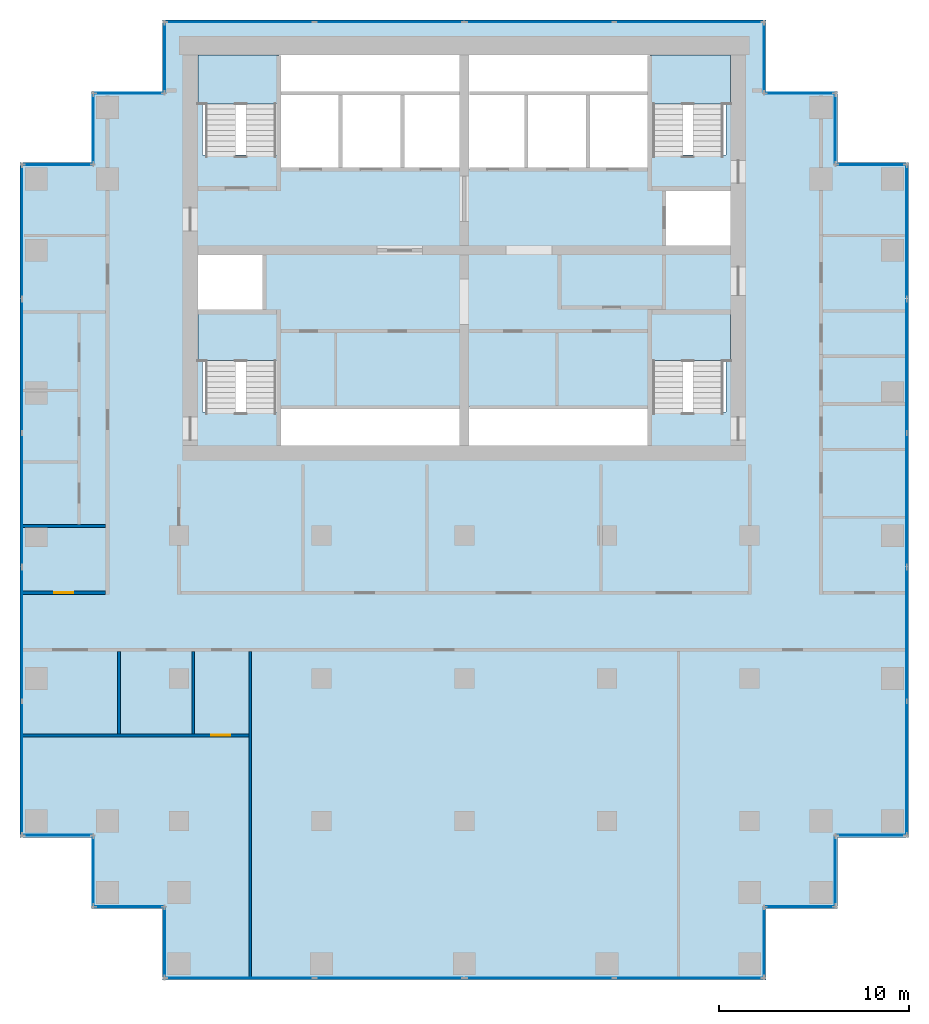
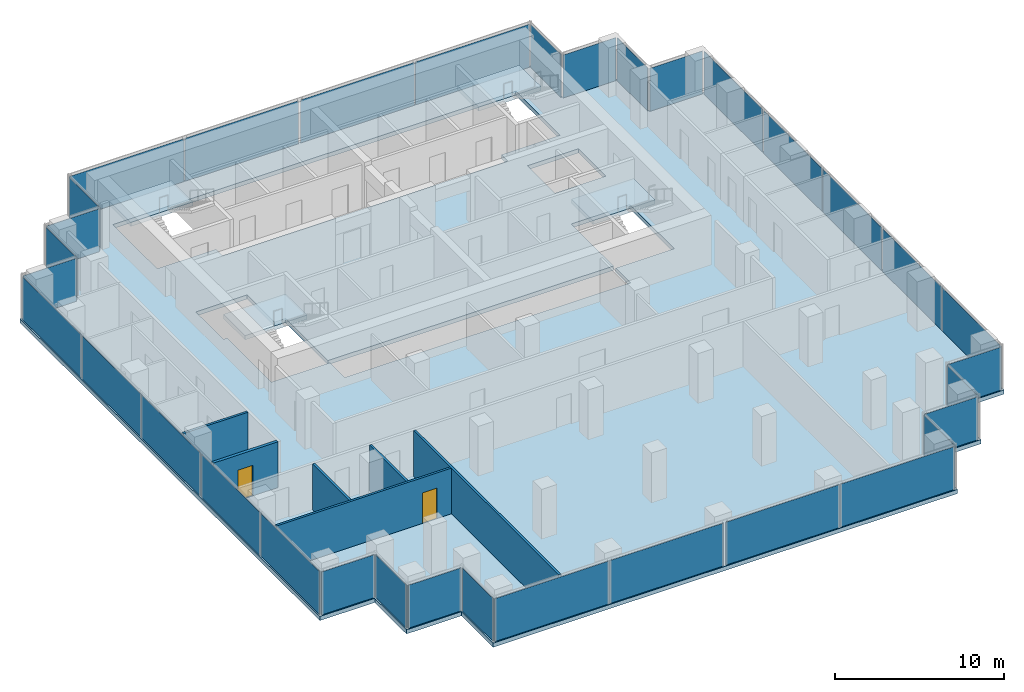
# One storey, part 6 of 10: 34 plates, 6 walls, 5 slabs, 2 doors, 2 openings, 30 elements without a shape of their own.
"""IFC4 building model written with IfcOpenShell, lengths in metres."""

from ifc_helpers import new_model, si_unit, direction, frame, frame_2d, origin, origin_2d, place, context, subcontext, project, spatial, polyline, rectangle, outline, extrude, material, layer, layer_set, type_object, element, fill, aggregate, save


model = new_model("IFC4")

# Units and contexts
model_context = context("Model", 3, precision=1e-05, world=origin(), true_north=direction((0.0, 1.0)))
body_context = subcontext(model_context, "Body", "Model", "MODEL_VIEW")
ifc_project = project(units=[si_unit("LENGTHUNIT", "METRE"), si_unit("AREAUNIT", "SQUARE_METRE"), si_unit("VOLUMEUNIT", "CUBIC_METRE"), si_unit("PLANEANGLEUNIT", "RADIAN"), si_unit("MASSUNIT", "GRAM", prefix="KILO")], contexts=[model_context])

# Site, building, storey
site_placement = place(None, origin())
site = spatial("IfcSite", under=ifc_project, at=site_placement, CompositionType="ELEMENT")
building_placement = place(site_placement, origin())
building = spatial("IfcBuilding", under=site, at=building_placement, Name="Pilkhan Gate Tower", CompositionType="ELEMENT")
storey_placement = place(building_placement, frame((0.0, 0.0, 154.89990234375)))
storey = spatial("IfcBuildingStorey", under=building, at=storey_placement, Name="L39", CompositionType="ELEMENT", Elevation=154.89990234375)

# Slab
ifc_material_1 = material(Name="Concrete C40/50", Category="concrete")
ifc_layer_1 = layer(ifc_material_1, 0.300048828125)
ifc_layer_set_1 = layer_set([ifc_layer_1], Name="Flat plate slab FP300")
slab_type_1 = type_object("IfcSlabType", Name="Flat plate slab FP300", PredefinedType="FLOOR", material=ifc_layer_set_1)
slab_1_placement = place(storey_placement, frame((0.0, 0.0, -0.2998046875)))
element("IfcSlab", 1, at=slab_1_placement, inside=storey, type_object=slab_type_1, Name="Floor slab L39", PredefinedType="FLOOR", context=body_context, shape_type="SweptSolid", body=[
    extrude(outline(polyline([(94.60009765625, 47.89990234375), (90.85009765625, 47.89990234375), (90.85009765625, 44.14990234375), (59.14990234375, 44.14990234375), (59.14990234375, 47.89990234375), (55.39990234375, 47.89990234375), (55.39990234375, 51.64990234375), (51.64990234375, 51.64990234375), (51.64990234375, 87.10009765625), (55.39990234375, 87.10009765625), (55.39990234375, 90.85009765625), (59.14990234375, 90.85009765625), (59.14990234375, 94.60009765625), (90.85009765625, 94.60009765625), (90.85009765625, 90.85009765625), (94.60009765625, 90.85009765625), (94.60009765625, 87.10009765625), (98.35009765625, 87.10009765625), (98.35009765625, 51.64990234375), (94.60009765625, 51.64990234375), (94.60009765625, 47.89990234375)]), holes=[polyline([(75.0, 72.25), (84.75, 72.25), (84.75, 74.0), (88.75, 74.0), (88.75, 79.25), (84.75, 79.25), (84.75, 74.25), (75.0, 74.25), (65.25, 74.25), (65.25, 79.25), (64.5, 79.25), (64.5, 82.5), (61.25, 82.5), (61.0, 82.5), (61.0, 79.25), (61.25, 79.25), (61.25, 74.0), (65.25, 74.0), (65.25, 72.25), (75.0, 72.25)]), polyline([(68.5, 86.75), (71.75, 86.75), (75.0, 86.75), (78.25, 86.75), (81.5, 86.75), (84.75, 86.75), (84.75, 87.5), (88.75, 87.5), (88.75, 92.75), (84.75, 92.75), (75.0, 92.75), (65.25, 92.75), (61.25, 92.75), (61.25, 87.5), (65.25, 87.5), (65.25, 86.75), (68.5, 86.75)]), polyline([(85.5, 85.75), (85.5, 82.5), (88.75, 82.5), (89.0, 82.5), (89.0, 85.75), (88.75, 85.75), (85.5, 85.75)])]), origin(), (0.0, 0.0, 1.0), 0.2998046875),
])

# Curtain wall, plates
ifc_material_2 = material(Name="Pale anodised aluminium, clear low-iron double glazing", Category="aluminium")
curtain_wall_type = type_object("IfcCurtainWallType", Name="Office unitised curtain wall CW-O1", PredefinedType="USERDEFINED", material=ifc_material_2)
curtain_wall_1_placement = place(storey_placement, origin())
curtain_wall_1 = element("IfcCurtainWall", 2, at=curtain_wall_1_placement, inside=storey, type_object=curtain_wall_type, Name="Office unitised curtain wall CW-O1 L39 E", ObjectType="UNITISED CURTAIN WALL", PredefinedType="USERDEFINED")
ifc_material_3 = material(Name="Clear low-iron double glazing", Category="glass")
ifc_layer_2 = layer(ifc_material_3, 0.0400390625)
ifc_layer_set_2 = layer_set([ifc_layer_2], Name="Glass panel CW-O1 40")
plate_type = type_object("IfcPlateType", Name="Glass panel CW-O1 40", PredefinedType="CURTAIN_PANEL", material=ifc_layer_set_2)
plate_1_placement = place(storey_placement, frame((98.25, 55.29248046875, 0.0), z_axis=(0.0, 0.0, 1.0), x_axis=(0.0, 1.0, 0.0)))
plate_1 = element("IfcPlate", 3, at=plate_1_placement, type_object=plate_type, Name="CW-O1 panel 1", PredefinedType="CURTAIN_PANEL", context=body_context, shape_type="SweptSolid", body=[
    extrude(rectangle(XDim=6.945068359375, YDim=0.0400390625, at=origin_2d()), origin(), (0.0, 0.0, 1.0), 3.10009765625),
])
plate_2_placement = place(storey_placement, frame((98.25, 62.3076171875, 0.0), z_axis=(0.0, 0.0, 1.0), x_axis=(0.0, 1.0, 0.0)))
plate_2 = element("IfcPlate", 4, at=plate_2_placement, type_object=plate_type, Name="CW-O1 panel 2", PredefinedType="CURTAIN_PANEL", context=body_context, shape_type="SweptSolid", body=[
    extrude(rectangle(XDim=6.945068359375, YDim=0.0400390625, at=origin_2d()), origin(), (0.0, 0.0, 1.0), 3.10009765625),
])
aggregate(curtain_wall_1, [plate_1, plate_2])

curtain_wall_2_placement = place(storey_placement, origin())
curtain_wall_2 = element("IfcCurtainWall", 5, at=curtain_wall_2_placement, inside=storey, type_object=curtain_wall_type, Name="Office unitised curtain wall CW-O1 L39 E", ObjectType="UNITISED CURTAIN WALL", PredefinedType="USERDEFINED")
plate_3_placement = place(storey_placement, frame((98.25, 69.392578125, 0.0), z_axis=(0.0, 0.0, 1.0), x_axis=(0.0, 1.0, 0.0)))
plate_3 = element("IfcPlate", 6, at=plate_3_placement, type_object=plate_type, Name="CW-O1 panel 1", PredefinedType="CURTAIN_PANEL", context=body_context, shape_type="SweptSolid", body=[
    extrude(rectangle(XDim=6.945068359375, YDim=0.0400390625, at=origin_2d()), origin(), (0.0, 0.0, 1.0), 3.10009765625),
])
plate_4_placement = place(storey_placement, frame((98.25, 76.407470703125, 0.0), z_axis=(0.0, 0.0, 1.0), x_axis=(0.0, 1.0, 0.0)))
plate_4 = element("IfcPlate", 7, at=plate_4_placement, type_object=plate_type, Name="CW-O1 panel 2", PredefinedType="CURTAIN_PANEL", context=body_context, shape_type="SweptSolid", body=[
    extrude(rectangle(XDim=6.945068359375, YDim=0.0400390625, at=origin_2d()), origin(), (0.0, 0.0, 1.0), 3.10009765625),
])
aggregate(curtain_wall_2, [plate_3, plate_4])

# Curtain wall, plate
curtain_wall_3_placement = place(storey_placement, origin())
curtain_wall_3 = element("IfcCurtainWall", 8, at=curtain_wall_3_placement, inside=storey, type_object=curtain_wall_type, Name="Office unitised curtain wall CW-O1 L39 E", ObjectType="UNITISED CURTAIN WALL", PredefinedType="USERDEFINED")
plate_5_placement = place(storey_placement, frame((98.25, 83.47509765625, 0.0), z_axis=(0.0, 0.0, 1.0), x_axis=(0.0, 1.0, 0.0)))
plate_5 = element("IfcPlate", 9, at=plate_5_placement, type_object=plate_type, Name="CW-O1 panel 1", PredefinedType="CURTAIN_PANEL", context=body_context, shape_type="SweptSolid", body=[
    extrude(rectangle(XDim=6.909912109375, YDim=0.0400390625, at=origin_2d()), origin(), (0.0, 0.0, 1.0), 3.10009765625),
])
aggregate(curtain_wall_3, [plate_5])

curtain_wall_4_placement = place(storey_placement, origin())
curtain_wall_4 = element("IfcCurtainWall", 10, at=curtain_wall_4_placement, inside=storey, type_object=curtain_wall_type, Name="Office unitised curtain wall CW-O1 L39 N", ObjectType="UNITISED CURTAIN WALL", PredefinedType="USERDEFINED")
plate_6_placement = place(storey_placement, frame((96.375, 87.0, 0.0), z_axis=(0.0, 0.0, 1.0), x_axis=(1.0, 0.0, 0.0)))
plate_6 = element("IfcPlate", 11, at=plate_6_placement, type_object=plate_type, Name="CW-O1 panel 1", PredefinedType="CURTAIN_PANEL", context=body_context, shape_type="SweptSolid", body=[
    extrude(rectangle(XDim=3.610107421875, YDim=0.0400390625, at=origin_2d()), origin(), (0.0, 0.0, 1.0), 3.10009765625),
])
aggregate(curtain_wall_4, [plate_6])

curtain_wall_5_placement = place(storey_placement, origin())
curtain_wall_5 = element("IfcCurtainWall", 12, at=curtain_wall_5_placement, inside=storey, type_object=curtain_wall_type, Name="Office unitised curtain wall CW-O1 L39 E", ObjectType="UNITISED CURTAIN WALL", PredefinedType="USERDEFINED")
plate_7_placement = place(storey_placement, frame((94.5, 88.875, 0.0), z_axis=(0.0, 0.0, 1.0), x_axis=(0.0, 1.0, 0.0)))
plate_7 = element("IfcPlate", 13, at=plate_7_placement, type_object=plate_type, Name="CW-O1 panel 1", PredefinedType="CURTAIN_PANEL", context=body_context, shape_type="SweptSolid", body=[
    extrude(rectangle(XDim=3.610107421875, YDim=0.0400390625, at=origin_2d()), origin(), (0.0, 0.0, 1.0), 3.10009765625),
])
aggregate(curtain_wall_5, [plate_7])

curtain_wall_6_placement = place(storey_placement, origin())
curtain_wall_6 = element("IfcCurtainWall", 14, at=curtain_wall_6_placement, inside=storey, type_object=curtain_wall_type, Name="Office unitised curtain wall CW-O1 L39 N", ObjectType="UNITISED CURTAIN WALL", PredefinedType="USERDEFINED")
plate_8_placement = place(storey_placement, frame((92.625, 90.75, 0.0), z_axis=(0.0, 0.0, 1.0), x_axis=(1.0, 0.0, 0.0)))
plate_8 = element("IfcPlate", 15, at=plate_8_placement, type_object=plate_type, Name="CW-O1 panel 1", PredefinedType="CURTAIN_PANEL", context=body_context, shape_type="SweptSolid", body=[
    extrude(rectangle(XDim=3.610107421875, YDim=0.0400390625, at=origin_2d()), origin(), (0.0, 0.0, 1.0), 3.10009765625),
])
aggregate(curtain_wall_6, [plate_8])

curtain_wall_7_placement = place(storey_placement, origin())
curtain_wall_7 = element("IfcCurtainWall", 16, at=curtain_wall_7_placement, inside=storey, type_object=curtain_wall_type, Name="Office unitised curtain wall CW-O1 L39 E", ObjectType="UNITISED CURTAIN WALL", PredefinedType="USERDEFINED")
plate_9_placement = place(storey_placement, frame((90.75, 92.625, 0.0), z_axis=(0.0, 0.0, 1.0), x_axis=(0.0, 1.0, 0.0)))
plate_9 = element("IfcPlate", 17, at=plate_9_placement, type_object=plate_type, Name="CW-O1 panel 1", PredefinedType="CURTAIN_PANEL", context=body_context, shape_type="SweptSolid", body=[
    extrude(rectangle(XDim=3.610107421875, YDim=0.0400390625, at=origin_2d()), origin(), (0.0, 0.0, 1.0), 3.10009765625),
])
aggregate(curtain_wall_7, [plate_9])

# Curtain wall, plates
curtain_wall_8_placement = place(storey_placement, origin())
curtain_wall_8 = element("IfcCurtainWall", 18, at=curtain_wall_8_placement, inside=storey, type_object=curtain_wall_type, Name="Office unitised curtain wall CW-O1 L39 N", ObjectType="UNITISED CURTAIN WALL", PredefinedType="USERDEFINED")
plate_10_placement = place(storey_placement, frame((63.205078125, 94.5, 0.0), z_axis=(0.0, 0.0, 1.0), x_axis=(1.0, 0.0, 0.0)))
plate_10 = element("IfcPlate", 19, at=plate_10_placement, type_object=plate_type, Name="CW-O1 panel 1", PredefinedType="CURTAIN_PANEL", context=body_context, shape_type="SweptSolid", body=[
    extrude(rectangle(XDim=7.77001953125, YDim=0.0400390625, at=origin_2d()), origin(), (0.0, 0.0, 1.0), 3.10009765625),
])
plate_11_placement = place(storey_placement, frame((71.044921875, 94.5, 0.0), z_axis=(0.0, 0.0, 1.0), x_axis=(1.0, 0.0, 0.0)))
plate_11 = element("IfcPlate", 20, at=plate_11_placement, type_object=plate_type, Name="CW-O1 panel 2", PredefinedType="CURTAIN_PANEL", context=body_context, shape_type="SweptSolid", body=[
    extrude(rectangle(XDim=7.77001953125, YDim=0.0400390625, at=origin_2d()), origin(), (0.0, 0.0, 1.0), 3.10009765625),
])
aggregate(curtain_wall_8, [plate_10, plate_11])

curtain_wall_9_placement = place(storey_placement, origin())
curtain_wall_9 = element("IfcCurtainWall", 21, at=curtain_wall_9_placement, inside=storey, type_object=curtain_wall_type, Name="Office unitised curtain wall CW-O1 L39 N", ObjectType="UNITISED CURTAIN WALL", PredefinedType="USERDEFINED")
plate_12_placement = place(storey_placement, frame((78.955078125, 94.5, 0.0), z_axis=(0.0, 0.0, 1.0), x_axis=(1.0, 0.0, 0.0)))
plate_12 = element("IfcPlate", 22, at=plate_12_placement, type_object=plate_type, Name="CW-O1 panel 1", PredefinedType="CURTAIN_PANEL", context=body_context, shape_type="SweptSolid", body=[
    extrude(rectangle(XDim=7.77001953125, YDim=0.0400390625, at=origin_2d()), origin(), (0.0, 0.0, 1.0), 3.10009765625),
])
plate_13_placement = place(storey_placement, frame((86.794921875, 94.5, 0.0), z_axis=(0.0, 0.0, 1.0), x_axis=(1.0, 0.0, 0.0)))
plate_13 = element("IfcPlate", 23, at=plate_13_placement, type_object=plate_type, Name="CW-O1 panel 2", PredefinedType="CURTAIN_PANEL", context=body_context, shape_type="SweptSolid", body=[
    extrude(rectangle(XDim=7.77001953125, YDim=0.0400390625, at=origin_2d()), origin(), (0.0, 0.0, 1.0), 3.10009765625),
])
aggregate(curtain_wall_9, [plate_12, plate_13])

# Curtain wall, plate
curtain_wall_10_placement = place(storey_placement, origin())
curtain_wall_10 = element("IfcCurtainWall", 24, at=curtain_wall_10_placement, inside=storey, type_object=curtain_wall_type, Name="Office unitised curtain wall CW-O1 L39 W", ObjectType="UNITISED CURTAIN WALL", PredefinedType="USERDEFINED")
plate_14_placement = place(storey_placement, frame((59.25, 92.625, 0.0), z_axis=(0.0, 0.0, 1.0), x_axis=(0.0, 1.0, 0.0)))
plate_14 = element("IfcPlate", 25, at=plate_14_placement, type_object=plate_type, Name="CW-O1 panel 1", PredefinedType="CURTAIN_PANEL", context=body_context, shape_type="SweptSolid", body=[
    extrude(rectangle(XDim=3.610107421875, YDim=0.0400390625, at=origin_2d()), origin(), (0.0, 0.0, 1.0), 3.10009765625),
])
aggregate(curtain_wall_10, [plate_14])

curtain_wall_11_placement = place(storey_placement, origin())
curtain_wall_11 = element("IfcCurtainWall", 26, at=curtain_wall_11_placement, inside=storey, type_object=curtain_wall_type, Name="Office unitised curtain wall CW-O1 L39 N", ObjectType="UNITISED CURTAIN WALL", PredefinedType="USERDEFINED")
plate_15_placement = place(storey_placement, frame((57.375, 90.75, 0.0), z_axis=(0.0, 0.0, 1.0), x_axis=(1.0, 0.0, 0.0)))
plate_15 = element("IfcPlate", 27, at=plate_15_placement, type_object=plate_type, Name="CW-O1 panel 1", PredefinedType="CURTAIN_PANEL", context=body_context, shape_type="SweptSolid", body=[
    extrude(rectangle(XDim=3.610107421875, YDim=0.0400390625, at=origin_2d()), origin(), (0.0, 0.0, 1.0), 3.10009765625),
])
aggregate(curtain_wall_11, [plate_15])

curtain_wall_12_placement = place(storey_placement, origin())
curtain_wall_12 = element("IfcCurtainWall", 28, at=curtain_wall_12_placement, inside=storey, type_object=curtain_wall_type, Name="Office unitised curtain wall CW-O1 L39 W", ObjectType="UNITISED CURTAIN WALL", PredefinedType="USERDEFINED")
plate_16_placement = place(storey_placement, frame((55.5, 88.875, 0.0), z_axis=(0.0, 0.0, 1.0), x_axis=(0.0, 1.0, 0.0)))
plate_16 = element("IfcPlate", 29, at=plate_16_placement, type_object=plate_type, Name="CW-O1 panel 1", PredefinedType="CURTAIN_PANEL", context=body_context, shape_type="SweptSolid", body=[
    extrude(rectangle(XDim=3.610107421875, YDim=0.0400390625, at=origin_2d()), origin(), (0.0, 0.0, 1.0), 3.10009765625),
])
aggregate(curtain_wall_12, [plate_16])

curtain_wall_13_placement = place(storey_placement, origin())
curtain_wall_13 = element("IfcCurtainWall", 30, at=curtain_wall_13_placement, inside=storey, type_object=curtain_wall_type, Name="Office unitised curtain wall CW-O1 L39 N", ObjectType="UNITISED CURTAIN WALL", PredefinedType="USERDEFINED")
plate_17_placement = place(storey_placement, frame((53.625, 87.0, 0.0), z_axis=(0.0, 0.0, 1.0), x_axis=(1.0, 0.0, 0.0)))
plate_17 = element("IfcPlate", 31, at=plate_17_placement, type_object=plate_type, Name="CW-O1 panel 1", PredefinedType="CURTAIN_PANEL", context=body_context, shape_type="SweptSolid", body=[
    extrude(rectangle(XDim=3.610107421875, YDim=0.0400390625, at=origin_2d()), origin(), (0.0, 0.0, 1.0), 3.10009765625),
])
aggregate(curtain_wall_13, [plate_17])

# Curtain wall, plates
curtain_wall_14_placement = place(storey_placement, origin())
curtain_wall_14 = element("IfcCurtainWall", 32, at=curtain_wall_14_placement, inside=storey, type_object=curtain_wall_type, Name="Office unitised curtain wall CW-O1 L39 W", ObjectType="UNITISED CURTAIN WALL", PredefinedType="USERDEFINED")
plate_18_placement = place(storey_placement, frame((51.75, 55.29248046875, 0.0), z_axis=(0.0, 0.0, 1.0), x_axis=(0.0, 1.0, 0.0)))
plate_18 = element("IfcPlate", 33, at=plate_18_placement, type_object=plate_type, Name="CW-O1 panel 1", PredefinedType="CURTAIN_PANEL", context=body_context, shape_type="SweptSolid", body=[
    extrude(rectangle(XDim=6.945068359375, YDim=0.0400390625, at=origin_2d()), origin(), (0.0, 0.0, 1.0), 3.10009765625),
])
plate_19_placement = place(storey_placement, frame((51.75, 62.3076171875, 0.0), z_axis=(0.0, 0.0, 1.0), x_axis=(0.0, 1.0, 0.0)))
plate_19 = element("IfcPlate", 34, at=plate_19_placement, type_object=plate_type, Name="CW-O1 panel 2", PredefinedType="CURTAIN_PANEL", context=body_context, shape_type="SweptSolid", body=[
    extrude(rectangle(XDim=6.945068359375, YDim=0.0400390625, at=origin_2d()), origin(), (0.0, 0.0, 1.0), 3.10009765625),
])
aggregate(curtain_wall_14, [plate_18, plate_19])

curtain_wall_15_placement = place(storey_placement, origin())
curtain_wall_15 = element("IfcCurtainWall", 35, at=curtain_wall_15_placement, inside=storey, type_object=curtain_wall_type, Name="Office unitised curtain wall CW-O1 L39 W", ObjectType="UNITISED CURTAIN WALL", PredefinedType="USERDEFINED")
plate_20_placement = place(storey_placement, frame((51.75, 69.392578125, 0.0), z_axis=(0.0, 0.0, 1.0), x_axis=(0.0, 1.0, 0.0)))
plate_20 = element("IfcPlate", 36, at=plate_20_placement, type_object=plate_type, Name="CW-O1 panel 1", PredefinedType="CURTAIN_PANEL", context=body_context, shape_type="SweptSolid", body=[
    extrude(rectangle(XDim=6.945068359375, YDim=0.0400390625, at=origin_2d()), origin(), (0.0, 0.0, 1.0), 3.10009765625),
])
plate_21_placement = place(storey_placement, frame((51.75, 76.407470703125, 0.0), z_axis=(0.0, 0.0, 1.0), x_axis=(0.0, 1.0, 0.0)))
plate_21 = element("IfcPlate", 37, at=plate_21_placement, type_object=plate_type, Name="CW-O1 panel 2", PredefinedType="CURTAIN_PANEL", context=body_context, shape_type="SweptSolid", body=[
    extrude(rectangle(XDim=6.945068359375, YDim=0.0400390625, at=origin_2d()), origin(), (0.0, 0.0, 1.0), 3.10009765625),
])
aggregate(curtain_wall_15, [plate_20, plate_21])

# Curtain wall, plate
curtain_wall_16_placement = place(storey_placement, origin())
curtain_wall_16 = element("IfcCurtainWall", 38, at=curtain_wall_16_placement, inside=storey, type_object=curtain_wall_type, Name="Office unitised curtain wall CW-O1 L39 W", ObjectType="UNITISED CURTAIN WALL", PredefinedType="USERDEFINED")
plate_22_placement = place(storey_placement, frame((51.75, 83.47509765625, 0.0), z_axis=(0.0, 0.0, 1.0), x_axis=(0.0, 1.0, 0.0)))
plate_22 = element("IfcPlate", 39, at=plate_22_placement, type_object=plate_type, Name="CW-O1 panel 1", PredefinedType="CURTAIN_PANEL", context=body_context, shape_type="SweptSolid", body=[
    extrude(rectangle(XDim=6.909912109375, YDim=0.0400390625, at=origin_2d()), origin(), (0.0, 0.0, 1.0), 3.10009765625),
])
aggregate(curtain_wall_16, [plate_22])

curtain_wall_17_placement = place(storey_placement, origin())
curtain_wall_17 = element("IfcCurtainWall", 40, at=curtain_wall_17_placement, inside=storey, type_object=curtain_wall_type, Name="Office unitised curtain wall CW-O1 L39 S", ObjectType="UNITISED CURTAIN WALL", PredefinedType="USERDEFINED")
plate_23_placement = place(storey_placement, frame((53.625, 51.75, 0.0), z_axis=(0.0, 0.0, 1.0), x_axis=(1.0, 0.0, 0.0)))
plate_23 = element("IfcPlate", 41, at=plate_23_placement, type_object=plate_type, Name="CW-O1 panel 1", PredefinedType="CURTAIN_PANEL", context=body_context, shape_type="SweptSolid", body=[
    extrude(rectangle(XDim=3.610107421875, YDim=0.0400390625, at=origin_2d()), origin(), (0.0, 0.0, 1.0), 3.10009765625),
])
aggregate(curtain_wall_17, [plate_23])

curtain_wall_18_placement = place(storey_placement, origin())
curtain_wall_18 = element("IfcCurtainWall", 42, at=curtain_wall_18_placement, inside=storey, type_object=curtain_wall_type, Name="Office unitised curtain wall CW-O1 L39 W", ObjectType="UNITISED CURTAIN WALL", PredefinedType="USERDEFINED")
plate_24_placement = place(storey_placement, frame((55.5, 49.875, 0.0), z_axis=(0.0, 0.0, 1.0), x_axis=(0.0, 1.0, 0.0)))
plate_24 = element("IfcPlate", 43, at=plate_24_placement, type_object=plate_type, Name="CW-O1 panel 1", PredefinedType="CURTAIN_PANEL", context=body_context, shape_type="SweptSolid", body=[
    extrude(rectangle(XDim=3.610107421875, YDim=0.0400390625, at=origin_2d()), origin(), (0.0, 0.0, 1.0), 3.10009765625),
])
aggregate(curtain_wall_18, [plate_24])

curtain_wall_19_placement = place(storey_placement, origin())
curtain_wall_19 = element("IfcCurtainWall", 44, at=curtain_wall_19_placement, inside=storey, type_object=curtain_wall_type, Name="Office unitised curtain wall CW-O1 L39 S", ObjectType="UNITISED CURTAIN WALL", PredefinedType="USERDEFINED")
plate_25_placement = place(storey_placement, frame((57.375, 48.0, 0.0), z_axis=(0.0, 0.0, 1.0), x_axis=(1.0, 0.0, 0.0)))
plate_25 = element("IfcPlate", 45, at=plate_25_placement, type_object=plate_type, Name="CW-O1 panel 1", PredefinedType="CURTAIN_PANEL", context=body_context, shape_type="SweptSolid", body=[
    extrude(rectangle(XDim=3.610107421875, YDim=0.0400390625, at=origin_2d()), origin(), (0.0, 0.0, 1.0), 3.10009765625),
])
aggregate(curtain_wall_19, [plate_25])

curtain_wall_20_placement = place(storey_placement, origin())
curtain_wall_20 = element("IfcCurtainWall", 46, at=curtain_wall_20_placement, inside=storey, type_object=curtain_wall_type, Name="Office unitised curtain wall CW-O1 L39 W", ObjectType="UNITISED CURTAIN WALL", PredefinedType="USERDEFINED")
plate_26_placement = place(storey_placement, frame((59.25, 46.125, 0.0), z_axis=(0.0, 0.0, 1.0), x_axis=(0.0, 1.0, 0.0)))
plate_26 = element("IfcPlate", 47, at=plate_26_placement, type_object=plate_type, Name="CW-O1 panel 1", PredefinedType="CURTAIN_PANEL", context=body_context, shape_type="SweptSolid", body=[
    extrude(rectangle(XDim=3.610107421875, YDim=0.0400390625, at=origin_2d()), origin(), (0.0, 0.0, 1.0), 3.10009765625),
])
aggregate(curtain_wall_20, [plate_26])

# Curtain wall, plates
curtain_wall_21_placement = place(storey_placement, origin())
curtain_wall_21 = element("IfcCurtainWall", 48, at=curtain_wall_21_placement, inside=storey, type_object=curtain_wall_type, Name="Office unitised curtain wall CW-O1 L39 S", ObjectType="UNITISED CURTAIN WALL", PredefinedType="USERDEFINED")
plate_27_placement = place(storey_placement, frame((63.205078125, 44.25, 0.0), z_axis=(0.0, 0.0, 1.0), x_axis=(1.0, 0.0, 0.0)))
plate_27 = element("IfcPlate", 49, at=plate_27_placement, type_object=plate_type, Name="CW-O1 panel 1", PredefinedType="CURTAIN_PANEL", context=body_context, shape_type="SweptSolid", body=[
    extrude(rectangle(XDim=7.77001953125, YDim=0.0400390625, at=origin_2d()), origin(), (0.0, 0.0, 1.0), 3.10009765625),
])
plate_28_placement = place(storey_placement, frame((71.044921875, 44.25, 0.0), z_axis=(0.0, 0.0, 1.0), x_axis=(1.0, 0.0, 0.0)))
plate_28 = element("IfcPlate", 50, at=plate_28_placement, type_object=plate_type, Name="CW-O1 panel 2", PredefinedType="CURTAIN_PANEL", context=body_context, shape_type="SweptSolid", body=[
    extrude(rectangle(XDim=7.77001953125, YDim=0.0400390625, at=origin_2d()), origin(), (0.0, 0.0, 1.0), 3.10009765625),
])
aggregate(curtain_wall_21, [plate_27, plate_28])

curtain_wall_22_placement = place(storey_placement, origin())
curtain_wall_22 = element("IfcCurtainWall", 51, at=curtain_wall_22_placement, inside=storey, type_object=curtain_wall_type, Name="Office unitised curtain wall CW-O1 L39 S", ObjectType="UNITISED CURTAIN WALL", PredefinedType="USERDEFINED")
plate_29_placement = place(storey_placement, frame((78.955078125, 44.25, 0.0), z_axis=(0.0, 0.0, 1.0), x_axis=(1.0, 0.0, 0.0)))
plate_29 = element("IfcPlate", 52, at=plate_29_placement, type_object=plate_type, Name="CW-O1 panel 1", PredefinedType="CURTAIN_PANEL", context=body_context, shape_type="SweptSolid", body=[
    extrude(rectangle(XDim=7.77001953125, YDim=0.0400390625, at=origin_2d()), origin(), (0.0, 0.0, 1.0), 3.10009765625),
])
plate_30_placement = place(storey_placement, frame((86.794921875, 44.25, 0.0), z_axis=(0.0, 0.0, 1.0), x_axis=(1.0, 0.0, 0.0)))
plate_30 = element("IfcPlate", 53, at=plate_30_placement, type_object=plate_type, Name="CW-O1 panel 2", PredefinedType="CURTAIN_PANEL", context=body_context, shape_type="SweptSolid", body=[
    extrude(rectangle(XDim=7.77001953125, YDim=0.0400390625, at=origin_2d()), origin(), (0.0, 0.0, 1.0), 3.10009765625),
])
aggregate(curtain_wall_22, [plate_29, plate_30])

# Curtain wall, plate
curtain_wall_23_placement = place(storey_placement, origin())
curtain_wall_23 = element("IfcCurtainWall", 54, at=curtain_wall_23_placement, inside=storey, type_object=curtain_wall_type, Name="Office unitised curtain wall CW-O1 L39 E", ObjectType="UNITISED CURTAIN WALL", PredefinedType="USERDEFINED")
plate_31_placement = place(storey_placement, frame((90.75, 46.125, 0.0), z_axis=(0.0, 0.0, 1.0), x_axis=(0.0, 1.0, 0.0)))
plate_31 = element("IfcPlate", 55, at=plate_31_placement, type_object=plate_type, Name="CW-O1 panel 1", PredefinedType="CURTAIN_PANEL", context=body_context, shape_type="SweptSolid", body=[
    extrude(rectangle(XDim=3.610107421875, YDim=0.0400390625, at=origin_2d()), origin(), (0.0, 0.0, 1.0), 3.10009765625),
])
aggregate(curtain_wall_23, [plate_31])

curtain_wall_24_placement = place(storey_placement, origin())
curtain_wall_24 = element("IfcCurtainWall", 56, at=curtain_wall_24_placement, inside=storey, type_object=curtain_wall_type, Name="Office unitised curtain wall CW-O1 L39 S", ObjectType="UNITISED CURTAIN WALL", PredefinedType="USERDEFINED")
plate_32_placement = place(storey_placement, frame((92.625, 48.0, 0.0), z_axis=(0.0, 0.0, 1.0), x_axis=(1.0, 0.0, 0.0)))
plate_32 = element("IfcPlate", 57, at=plate_32_placement, type_object=plate_type, Name="CW-O1 panel 1", PredefinedType="CURTAIN_PANEL", context=body_context, shape_type="SweptSolid", body=[
    extrude(rectangle(XDim=3.610107421875, YDim=0.0400390625, at=origin_2d()), origin(), (0.0, 0.0, 1.0), 3.10009765625),
])
aggregate(curtain_wall_24, [plate_32])

curtain_wall_25_placement = place(storey_placement, origin())
curtain_wall_25 = element("IfcCurtainWall", 58, at=curtain_wall_25_placement, inside=storey, type_object=curtain_wall_type, Name="Office unitised curtain wall CW-O1 L39 E", ObjectType="UNITISED CURTAIN WALL", PredefinedType="USERDEFINED")
plate_33_placement = place(storey_placement, frame((94.5, 49.875, 0.0), z_axis=(0.0, 0.0, 1.0), x_axis=(0.0, 1.0, 0.0)))
plate_33 = element("IfcPlate", 59, at=plate_33_placement, type_object=plate_type, Name="CW-O1 panel 1", PredefinedType="CURTAIN_PANEL", context=body_context, shape_type="SweptSolid", body=[
    extrude(rectangle(XDim=3.610107421875, YDim=0.0400390625, at=origin_2d()), origin(), (0.0, 0.0, 1.0), 3.10009765625),
])
aggregate(curtain_wall_25, [plate_33])

curtain_wall_26_placement = place(storey_placement, origin())
curtain_wall_26 = element("IfcCurtainWall", 60, at=curtain_wall_26_placement, inside=storey, type_object=curtain_wall_type, Name="Office unitised curtain wall CW-O1 L39 S", ObjectType="UNITISED CURTAIN WALL", PredefinedType="USERDEFINED")
plate_34_placement = place(storey_placement, frame((96.375, 51.75, 0.0), z_axis=(0.0, 0.0, 1.0), x_axis=(1.0, 0.0, 0.0)))
plate_34 = element("IfcPlate", 61, at=plate_34_placement, type_object=plate_type, Name="CW-O1 panel 1", PredefinedType="CURTAIN_PANEL", context=body_context, shape_type="SweptSolid", body=[
    extrude(rectangle(XDim=3.610107421875, YDim=0.0400390625, at=origin_2d()), origin(), (0.0, 0.0, 1.0), 3.10009765625),
])
aggregate(curtain_wall_26, [plate_34])

# Stair, slab
ifc_material_4 = material(Name="Concrete C40/50 precast", Category="concrete")
stair_type_1 = type_object("IfcStairType", Name="Stair ST1 164x280", PredefinedType="HALF_TURN_STAIR", material=ifc_material_4)
stair_1_placement = place(storey_placement, origin())
stair_1 = element("IfcStair", 62, at=stair_1_placement, inside=storey, type_object=stair_type_1, Name="Stair ST1 L39", PredefinedType="HALF_TURN_STAIR")
ifc_layer_3 = layer(ifc_material_1, 0.199951171875)
ifc_layer_set_3 = layer_set([ifc_layer_3], Name="Stair landing SL200")
slab_type_2 = type_object("IfcSlabType", Name="Stair landing SL200", PredefinedType="LANDING", material=ifc_layer_set_3)
slab_2_placement = place(storey_placement, frame((0.0, 0.0, 1.5)))
slab_2 = element("IfcSlab", 63, at=slab_2_placement, type_object=slab_type_2, Name="ST1 landing 1", PredefinedType="LANDING", context=body_context, shape_type="SweptSolid", body=[
    extrude(outline(polyline([(89.0, 76.699951171875), (89.0, 79.25), (84.75, 79.25), (84.75, 76.699951171875), (89.0, 76.699951171875)])), origin(), (0.0, 0.0, 1.0), 0.300048828125),
])
aggregate(stair_1, [slab_2])

stair_type_2 = type_object("IfcStairType", Name="Stair ST2 164x280", PredefinedType="HALF_TURN_STAIR", material=ifc_material_4)
stair_2_placement = place(storey_placement, origin())
stair_2 = element("IfcStair", 64, at=stair_2_placement, inside=storey, type_object=stair_type_2, Name="Stair ST2 L39", PredefinedType="HALF_TURN_STAIR")
slab_3_placement = place(storey_placement, frame((0.0, 0.0, 1.5)))
slab_3 = element("IfcSlab", 65, at=slab_3_placement, type_object=slab_type_2, Name="ST2 landing 1", PredefinedType="LANDING", context=body_context, shape_type="SweptSolid", body=[
    extrude(outline(polyline([(65.25, 76.699951171875), (65.25, 79.25), (61.0, 79.25), (61.0, 76.699951171875), (65.25, 76.699951171875)])), origin(), (0.0, 0.0, 1.0), 0.300048828125),
])
aggregate(stair_2, [slab_3])

stair_type_3 = type_object("IfcStairType", Name="Stair ST3 164x280", PredefinedType="HALF_TURN_STAIR", material=ifc_material_4)
stair_3_placement = place(storey_placement, origin())
stair_3 = element("IfcStair", 66, at=stair_3_placement, inside=storey, type_object=stair_type_3, Name="Stair ST3 L39", PredefinedType="HALF_TURN_STAIR")
slab_4_placement = place(storey_placement, frame((0.0, 0.0, 1.5)))
slab_4 = element("IfcSlab", 67, at=slab_4_placement, type_object=slab_type_2, Name="ST3 landing 1", PredefinedType="LANDING", context=body_context, shape_type="SweptSolid", body=[
    extrude(outline(polyline([(65.25, 90.199951171875), (65.25, 92.75), (61.0, 92.75), (61.0, 90.199951171875), (65.25, 90.199951171875)])), origin(), (0.0, 0.0, 1.0), 0.300048828125),
])
aggregate(stair_3, [slab_4])

stair_type_4 = type_object("IfcStairType", Name="Stair ST4 164x280", PredefinedType="HALF_TURN_STAIR", material=ifc_material_4)
stair_4_placement = place(storey_placement, origin())
stair_4 = element("IfcStair", 68, at=stair_4_placement, inside=storey, type_object=stair_type_4, Name="Stair ST4 L39", PredefinedType="HALF_TURN_STAIR")
slab_5_placement = place(storey_placement, frame((0.0, 0.0, 1.5)))
slab_5 = element("IfcSlab", 69, at=slab_5_placement, type_object=slab_type_2, Name="ST4 landing 1", PredefinedType="LANDING", context=body_context, shape_type="SweptSolid", body=[
    extrude(outline(polyline([(89.0, 90.199951171875), (89.0, 92.75), (84.75, 92.75), (84.75, 90.199951171875), (89.0, 90.199951171875)])), origin(), (0.0, 0.0, 1.0), 0.300048828125),
])
aggregate(stair_4, [slab_5])

# Wall, opening, door
ifc_material_5 = material(Name="Dense blockwork", Category="masonry")
ifc_layer_4 = layer(ifc_material_5, 0.199951171875)
ifc_layer_set_4 = layer_set([ifc_layer_4], Name="Corridor wall FW200")
wall_type_1 = type_object("IfcWallType", Name="Corridor wall FW200", PredefinedType="PARTITIONING", material=ifc_layer_set_4)
wall_1_placement = place(storey_placement, frame((51.735107421875, 64.5, 0.0), z_axis=(0.0, 0.0, 1.0), x_axis=(1.0, 0.0, 0.0)))
wall_1 = element("IfcWall", 70, at=wall_1_placement, inside=storey, type_object=wall_type_1, Name="Partition L39", PredefinedType="PARTITIONING", context=body_context, shape_type="SweptSolid", body=[
    extrude(rectangle(XDim=4.414794921875, YDim=0.199951171875, at=frame_2d((2.20751953125, 0.0))), origin(), (0.0, 0.0, 1.0), 3.300048828125),
])
opening_1_placement = place(wall_1_placement, frame((1.699951171875, 0.0, 0.0)))
opening_1 = element("IfcOpeningElement", 71, at=opening_1_placement, cuts=wall_1, Name="Opening L39-26", PredefinedType="OPENING", context=body_context, shape_type="SweptSolid", body=[
    extrude(rectangle(XDim=1.0, YDim=2.199951171875, at=frame_2d((0.5, 1.10009765625))), frame((0.0, 0.10986328125, 0.0), z_axis=(0.0, -1.0, 0.0), x_axis=(1.0, 0.0, 0.0)), (0.0, 0.0, 1.0), 0.219970703125),
])
ifc_material_6 = material(Name="Timber flush door, 30 minute fire resisting", Category="wood")
door_type = type_object("IfcDoorType", Name="Room door D03 1000x2200", OperationType="SINGLE_SWING_LEFT", PredefinedType="DOOR", material=ifc_material_6)
door_1_placement = place(opening_1_placement, origin())
door_1 = element("IfcDoor", 72, at=door_1_placement, inside=storey, type_object=door_type, Name="Room door", OperationType="SINGLE_SWING_LEFT", OverallHeight=2.199951171875, OverallWidth=1.0, PredefinedType="DOOR", context=body_context, shape_type="SweptSolid", body=[
    extrude(rectangle(XDim=1.0, YDim=2.199951171875, at=frame_2d((0.5, 1.10009765625))), frame((0.0, 0.02490234375, 0.0), z_axis=(0.0, -1.0, 0.0), x_axis=(1.0, 0.0, 0.0)), (0.0, 0.0, 1.0), 0.050048828125),
])
fill(opening_1, door_1)

ifc_material_7 = material(Name="Blockwork partition, plastered both sides", Category="masonry")
ifc_layer_5 = layer(ifc_material_7, 0.14990234375)
ifc_layer_set_5 = layer_set([ifc_layer_5], Name="Partition PW150")
wall_type_2 = type_object("IfcWallType", Name="Partition PW150", PredefinedType="PARTITIONING", material=ifc_layer_set_5)
wall_2_placement = place(storey_placement, frame((51.735107421875, 57.0, 0.0), z_axis=(0.0, 0.0, 1.0), x_axis=(1.0, 0.0, 0.0)))
wall_2 = element("IfcWall", 73, at=wall_2_placement, inside=storey, type_object=wall_type_2, Name="Partition L39", PredefinedType="PARTITIONING", context=body_context, shape_type="SweptSolid", body=[
    extrude(rectangle(XDim=11.93994140625, YDim=0.14990234375, at=frame_2d((5.969970703125, 0.0))), origin(), (0.0, 0.0, 1.0), 3.300048828125),
])
opening_2_placement = place(wall_2_placement, frame((9.965087890625, 0.0, 0.0)))
opening_2 = element("IfcOpeningElement", 74, at=opening_2_placement, cuts=wall_2, Name="Opening L39-20", PredefinedType="OPENING", context=body_context, shape_type="SweptSolid", body=[
    extrude(rectangle(XDim=1.0, YDim=2.199951171875, at=frame_2d((0.5, 1.10009765625))), frame((0.0, 0.0849609375, 0.0), z_axis=(0.0, -1.0, 0.0), x_axis=(1.0, 0.0, 0.0)), (0.0, 0.0, 1.0), 0.169921875),
])
door_2_placement = place(opening_2_placement, origin())
door_2 = element("IfcDoor", 75, at=door_2_placement, inside=storey, type_object=door_type, Name="Room door", OperationType="SINGLE_SWING_LEFT", OverallHeight=2.199951171875, OverallWidth=1.0, PredefinedType="DOOR", context=body_context, shape_type="SweptSolid", body=[
    extrude(rectangle(XDim=1.0, YDim=2.199951171875, at=frame_2d((0.5, 1.10009765625))), frame((0.0, 0.02490234375, 0.0), z_axis=(0.0, -1.0, 0.0), x_axis=(1.0, 0.0, 0.0)), (0.0, 0.0, 1.0), 0.050048828125),
])
fill(opening_2, door_2)

# Walls
wall_3_placement = place(storey_placement, frame((51.735107421875, 68.0, 0.0), z_axis=(0.0, 0.0, 1.0), x_axis=(1.0, 0.0, 0.0)))
element("IfcWall", 76, at=wall_3_placement, inside=storey, type_object=wall_type_2, Name="Partition L39", PredefinedType="PARTITIONING", context=body_context, shape_type="SweptSolid", body=[
    extrude(rectangle(XDim=4.414794921875, YDim=0.14990234375, at=frame_2d((2.20751953125, 0.0))), origin(), (0.0, 0.0, 1.0), 3.300048828125),
])
for number, where, z_axis, x_axis, name in (
    (77, (56.85595703125, 57.074951171875, 0.0), (0.0, 0.0, 1.0), (0.0, 1.0, 0.0), "Partition L39"),
    (78, (60.75, 57.074951171875, 0.0), (0.0, 0.0, 1.0), (0.0, 1.0, 0.0), "Partition L39"),
):
    element("IfcWall", number, at=place(storey_placement, frame(where, z_axis=z_axis, x_axis=x_axis)), inside=storey, type_object=wall_type_2, Name=name, PredefinedType="PARTITIONING", context=body_context, shape_type="SweptSolid", body=[
        extrude(rectangle(XDim=4.324951171875, YDim=0.14990234375, at=frame_2d((2.16259765625, 0.0))), origin(), (0.0, 0.0, 1.0), 3.300048828125),
    ])
wall_4_placement = place(storey_placement, frame((63.75, 44.235107421875, 0.0), z_axis=(0.0, 0.0, 1.0), x_axis=(0.0, 1.0, 0.0)))
element("IfcWall", 79, at=wall_4_placement, inside=storey, type_object=wall_type_2, Name="Partition L39", PredefinedType="PARTITIONING", context=body_context, shape_type="SweptSolid", body=[
    extrude(rectangle(XDim=17.164794921875, YDim=0.14990234375, at=frame_2d((8.58251953125, 0.0))), origin(), (0.0, 0.0, 1.0), 3.300048828125),
])

save(model, "model.ifc")
